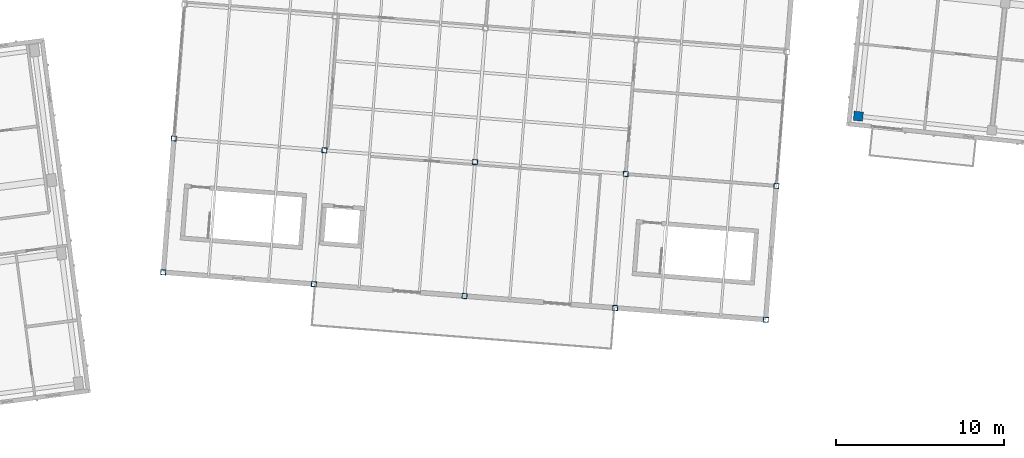
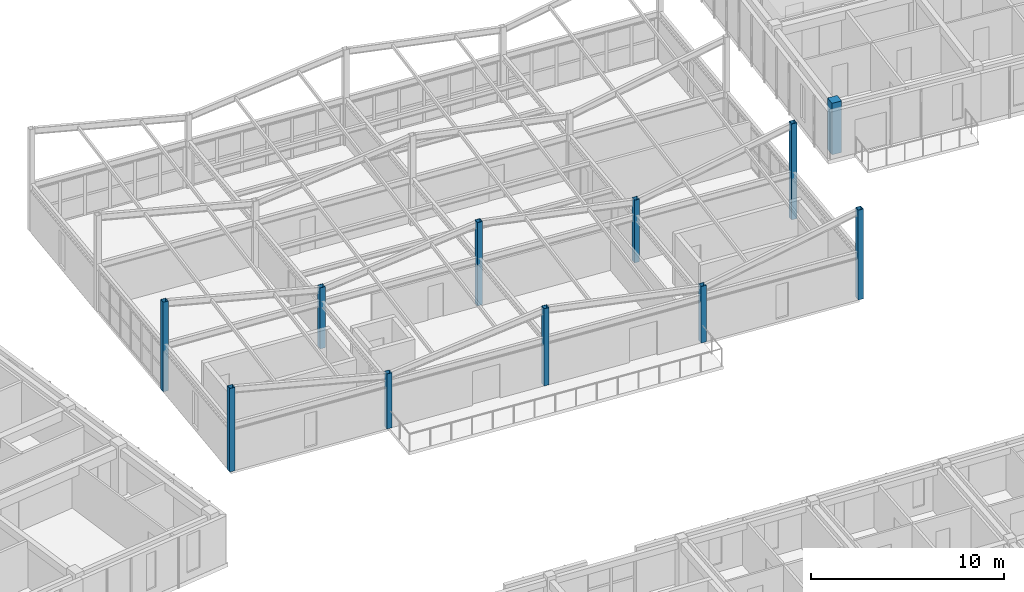
# One storey, part 2 of 127: 11 columns.
"""IFC4 building model written with IfcOpenShell, lengths in metres."""

from ifc_helpers import new_model, si_unit, direction, frame, origin, origin_2d, place, context, subcontext, project, spatial, rectangle, hollow_rectangle, extrude, material, material_profile, profile_set, type_object, element, save


model = new_model("IFC4")

# Units and contexts
model_context = context("Model", 3, precision=1e-05, world=origin(), true_north=direction((0.0, 1.0)))
body_context = subcontext(model_context, "Body", "Model", "MODEL_VIEW")
ifc_project = project(units=[si_unit("LENGTHUNIT", "METRE"), si_unit("AREAUNIT", "SQUARE_METRE"), si_unit("VOLUMEUNIT", "CUBIC_METRE"), si_unit("PLANEANGLEUNIT", "RADIAN"), si_unit("MASSUNIT", "GRAM", prefix="KILO")], contexts=[model_context])

# Site, building, storey
site_placement = place(None, origin())
site = spatial("IfcSite", under=ifc_project, at=site_placement, CompositionType="ELEMENT")
building_placement = place(site_placement, origin())
building = spatial("IfcBuilding", under=site, at=building_placement, Name="Kestramere Prow Commons", CompositionType="ELEMENT")
storey_placement = place(building_placement, frame((0.0, 0.0, 8.39990234375)))
storey = spatial("IfcBuildingStorey", under=building, at=storey_placement, Name="L02", CompositionType="ELEMENT", Elevation=8.39990234375)

# Columns
ifc_material_1 = material(Name="Precast concrete C40/50", Category="concrete")
ifc_material_profile_1 = material_profile(ifc_material_1, rectangle(XDim=0.550048828125, YDim=0.550048828125, at=origin_2d()), Name="PC-COL 550x550")
ifc_profile_set_1 = profile_set([ifc_material_profile_1], Name="Precast concrete C40/50")
column_type_1 = type_object("IfcColumnType", Name="C-B2 PC-COL 550x550", PredefinedType="COLUMN", material=ifc_profile_set_1)
column_1_placement = place(storey_placement, frame((110.0, 94.800048828125, 0.0), z_axis=(0.0, 0.0, 1.0), x_axis=(0.994521895368, -0.104528463268, 0.0)))
element("IfcColumn", 1, at=column_1_placement, inside=storey, type_object=column_type_1, Name="Block B L02 Column 1-1", PredefinedType="COLUMN", context=body_context, shape_type="SweptSolid", body=[
    extrude(rectangle(XDim=0.550048828125, YDim=0.550048828125, at=origin_2d()), origin(), (0.0, 0.0, 1.0), 3.25),
])
ifc_material_2 = material(Name="Steel S355JR", Category="steel")
ifc_material_profile_2 = material_profile(ifc_material_2, hollow_rectangle(XDim=0.300048828125, YDim=0.300048828125, WallThickness=0.01611328125, at=origin_2d()), Name="SHS 300x300x16")
ifc_profile_set_2 = profile_set([ifc_material_profile_2], Name="Steel S355JR")
column_type_2 = type_object("IfcColumnType", Name="C-NR1 SHS 300x300x16", PredefinedType="COLUMN", material=ifc_profile_set_2)
column_2_placement = place(storey_placement, frame((68.60009765625, 85.5, 0.0), z_axis=(0.0, 0.0, 1.0), x_axis=(0.996917333733, -0.078459095728, 0.0)))
element("IfcColumn", 2, at=column_2_placement, inside=storey, type_object=column_type_2, Name="Nursery L02 Steel Column 1-1", PredefinedType="COLUMN", context=body_context, shape_type="SweptSolid", body=[
    extrude(hollow_rectangle(XDim=0.300048828125, YDim=0.300048828125, WallThickness=0.01611328125, at=origin_2d()), origin(), (0.0, 0.0, 1.0), 5.27001953125),
])
column_3_placement = place(storey_placement, frame((69.227783203125, 93.475341796875, 0.0), z_axis=(0.0, 0.0, 1.0), x_axis=(0.996917333733, -0.078459095728, 0.0)))
element("IfcColumn", 3, at=column_3_placement, inside=storey, type_object=column_type_2, Name="Nursery L02 Steel Column 1-2", PredefinedType="COLUMN", context=body_context, shape_type="SweptSolid", body=[
    extrude(hollow_rectangle(XDim=0.300048828125, YDim=0.300048828125, WallThickness=0.01611328125, at=origin_2d()), origin(), (0.0, 0.0, 1.0), 5.6533203125),
])
column_4_placement = place(storey_placement, frame((77.572265625, 84.7939453125, 0.0), z_axis=(0.0, 0.0, 1.0), x_axis=(0.996917333733, -0.078459095728, 0.0)))
element("IfcColumn", 4, at=column_4_placement, inside=storey, type_object=column_type_2, Name="Nursery L02 Steel Column 2-1", PredefinedType="COLUMN", context=body_context, shape_type="SweptSolid", body=[
    extrude(hollow_rectangle(XDim=0.300048828125, YDim=0.300048828125, WallThickness=0.01611328125, at=origin_2d()), origin(), (0.0, 0.0, 1.0), 3.47021484375),
])
column_5_placement = place(storey_placement, frame((86.54443359375, 84.087646484375, 0.0), z_axis=(0.0, 0.0, 1.0), x_axis=(0.996917333733, -0.078459095728, 0.0)))
element("IfcColumn", 5, at=column_5_placement, inside=storey, type_object=column_type_2, Name="Nursery L02 Steel Column 3-1", PredefinedType="COLUMN", context=body_context, shape_type="SweptSolid", body=[
    extrude(hollow_rectangle(XDim=0.300048828125, YDim=0.300048828125, WallThickness=0.01611328125, at=origin_2d()), origin(), (0.0, 0.0, 1.0), 4.8701171875),
])
column_6_placement = place(storey_placement, frame((95.516845703125, 83.381591796875, 0.0), z_axis=(0.0, 0.0, 1.0), x_axis=(0.996917333733, -0.078459095728, 0.0)))
element("IfcColumn", 6, at=column_6_placement, inside=storey, type_object=column_type_2, Name="Nursery L02 Steel Column 4-1", PredefinedType="COLUMN", context=body_context, shape_type="SweptSolid", body=[
    extrude(hollow_rectangle(XDim=0.300048828125, YDim=0.300048828125, WallThickness=0.01611328125, at=origin_2d()), origin(), (0.0, 0.0, 1.0), 3.570068359375),
])
column_7_placement = place(storey_placement, frame((104.489013671875, 82.675537109375, 0.0), z_axis=(0.0, 0.0, 1.0), x_axis=(0.996917333733, -0.078459095728, 0.0)))
element("IfcColumn", 7, at=column_7_placement, inside=storey, type_object=column_type_2, Name="Nursery L02 Steel Column 5-1", PredefinedType="COLUMN", context=body_context, shape_type="SweptSolid", body=[
    extrude(hollow_rectangle(XDim=0.300048828125, YDim=0.300048828125, WallThickness=0.01611328125, at=origin_2d()), origin(), (0.0, 0.0, 1.0), 5.670166015625),
])
column_8_placement = place(storey_placement, frame((105.11669921875, 90.65087890625, 0.0), z_axis=(0.0, 0.0, 1.0), x_axis=(0.996917333733, -0.078459095728, 0.0)))
element("IfcColumn", 8, at=column_8_placement, inside=storey, type_object=column_type_2, Name="Nursery L02 Steel Column 5-2", PredefinedType="COLUMN", context=body_context, shape_type="SweptSolid", body=[
    extrude(hollow_rectangle(XDim=0.300048828125, YDim=0.300048828125, WallThickness=0.01611328125, at=origin_2d()), origin(), (0.0, 0.0, 1.0), 6.053466796875),
])
ifc_material_profile_3 = material_profile(ifc_material_2, hollow_rectangle(XDim=0.300048828125, YDim=0.300048828125, WallThickness=0.01611328125, at=origin_2d()), Name="SHS 300x300x16")
ifc_profile_set_3 = profile_set([ifc_material_profile_3], Name="Steel S355JR")
column_type_3 = type_object("IfcColumnType", Name="C-NR1 SHS 300x300x16 (IN)", PredefinedType="COLUMN", material=ifc_profile_set_3)
column_9_placement = place(storey_placement, frame((78.199951171875, 92.769287109375, 0.0), z_axis=(0.0, 0.0, 1.0), x_axis=(0.996917333733, -0.078459095728, 0.0)))
element("IfcColumn", 9, at=column_9_placement, inside=storey, type_object=column_type_3, Name="Nursery L02 Steel Column 2-2", PredefinedType="COLUMN", context=body_context, shape_type="SweptSolid", body=[
    extrude(hollow_rectangle(XDim=0.300048828125, YDim=0.300048828125, WallThickness=0.01611328125, at=origin_2d()), origin(), (0.0, 0.0, 1.0), 3.853515625),
])
column_10_placement = place(storey_placement, frame((87.172119140625, 92.06298828125, 0.0), z_axis=(0.0, 0.0, 1.0), x_axis=(0.996917333733, -0.078459095728, 0.0)))
element("IfcColumn", 10, at=column_10_placement, inside=storey, type_object=column_type_3, Name="Nursery L02 Steel Column 3-2", PredefinedType="COLUMN", context=body_context, shape_type="SweptSolid", body=[
    extrude(hollow_rectangle(XDim=0.300048828125, YDim=0.300048828125, WallThickness=0.01611328125, at=origin_2d()), origin(), (0.0, 0.0, 1.0), 5.25341796875),
])
column_11_placement = place(storey_placement, frame((96.14453125, 91.35693359375, 0.0), z_axis=(0.0, 0.0, 1.0), x_axis=(0.996917333733, -0.078459095728, 0.0)))
element("IfcColumn", 11, at=column_11_placement, inside=storey, type_object=column_type_3, Name="Nursery L02 Steel Column 4-2", PredefinedType="COLUMN", context=body_context, shape_type="SweptSolid", body=[
    extrude(hollow_rectangle(XDim=0.300048828125, YDim=0.300048828125, WallThickness=0.01611328125, at=origin_2d()), origin(), (0.0, 0.0, 1.0), 3.953369140625),
])

save(model, "model.ifc")
